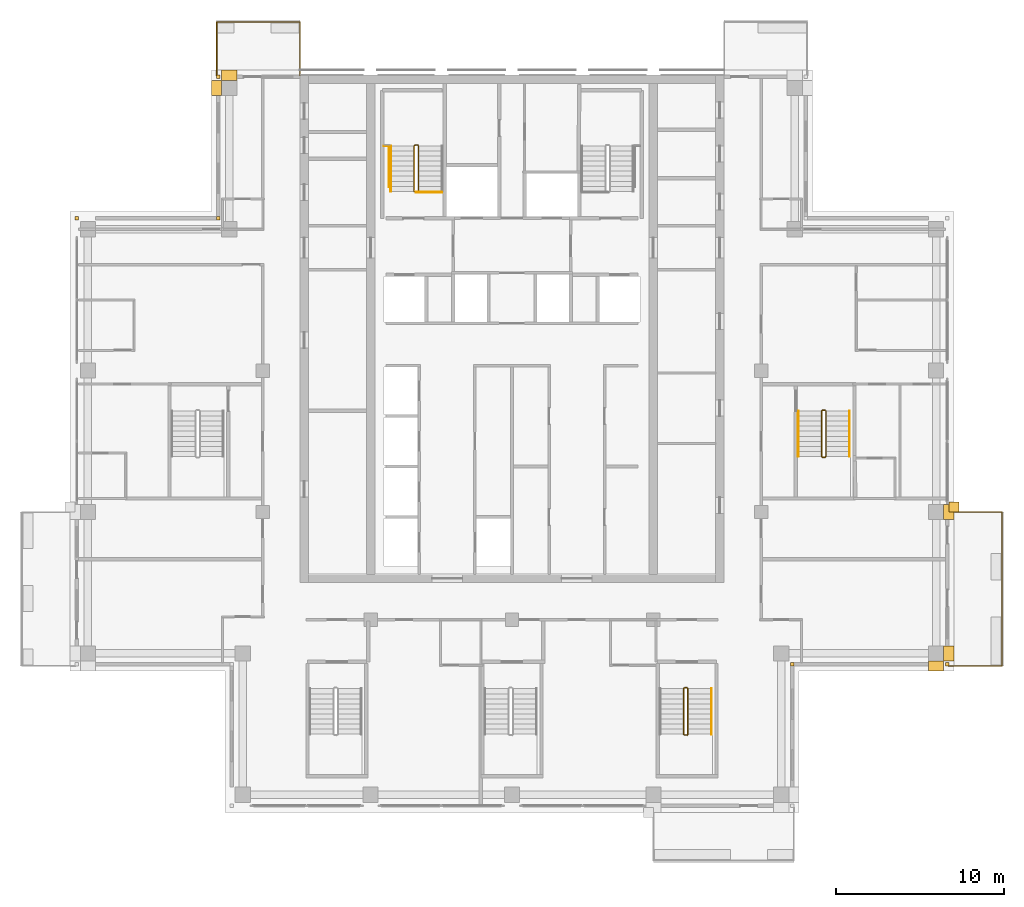
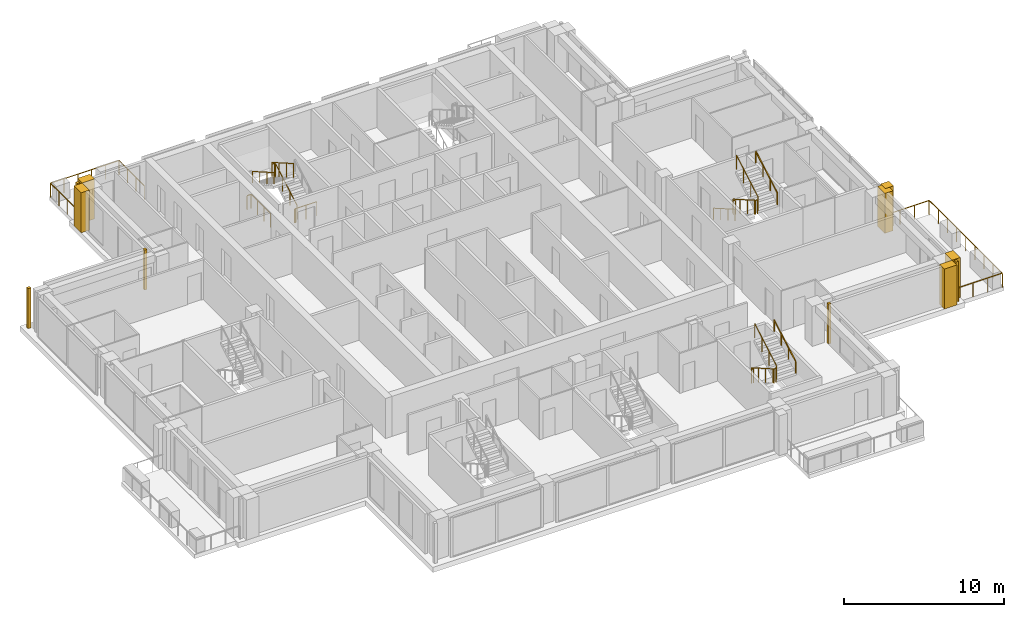
# One storey, part 18 of 19: 11 coverings, 11 railings.
"""IFC4 building model written with IfcOpenShell, lengths in metres."""

from ifc_helpers import new_model, si_unit, direction, frame, origin, origin_2d, place, context, subcontext, project, spatial, polyline, rectangle, outline, extrude, material, type_object, element, save


model = new_model("IFC4")

# Units and contexts
model_context = context("Model", 3, precision=1e-05, world=origin(), true_north=direction((0.0, 1.0)))
body_context = subcontext(model_context, "Body", "Model", "MODEL_VIEW")
ifc_project = project(units=[si_unit("LENGTHUNIT", "METRE"), si_unit("AREAUNIT", "SQUARE_METRE"), si_unit("VOLUMEUNIT", "CUBIC_METRE"), si_unit("PLANEANGLEUNIT", "RADIAN"), si_unit("MASSUNIT", "GRAM", prefix="KILO")], contexts=[model_context])

# Site, building, storey
site_placement = place(None, origin())
site = spatial("IfcSite", under=ifc_project, at=site_placement, CompositionType="ELEMENT")
building_placement = place(site_placement, origin())
building = spatial("IfcBuilding", under=site, at=building_placement, Name="Vermilion Ogive Tower", CompositionType="ELEMENT")
storey_placement = place(building_placement, frame((0.0, 0.0, 226.89990234375)))
storey = spatial("IfcBuildingStorey", under=building, at=storey_placement, Name="L59", CompositionType="ELEMENT", Elevation=226.89990234375)

# Railings
ifc_material_1 = material(Name="Stainless steel and glass", Category="steel")
railing_type_1 = type_object("IfcRailingType", Name="Balcony guard", PredefinedType="GUARDRAIL", material=ifc_material_1)
railing_1_placement = place(storey_placement, frame((25.949951171875, -13.35009765625, -0.039794921875)))
element("IfcRailing", 1, at=railing_1_placement, inside=storey, type_object=railing_type_1, Name="Guard E01", PredefinedType="GUARDRAIL", context=body_context, shape_type="SweptSolid", body=[
    extrude(rectangle(XDim=0.048095703125, YDim=0.048095703125, at=origin_2d()), frame((0.0, 0.0, 1.076171875), z_axis=(1.0, 0.0, 0.0), x_axis=(0.0, 1.0, 0.0)), (0.0, 0.0, 1.0), 3.16015625),
    extrude(rectangle(XDim=0.048095703125, YDim=0.048095703125, at=origin_2d()), frame((3.16015625, 0.0, 1.076171875), z_axis=(0.0, 1.0, 0.0), x_axis=(-1.0, 0.0, 0.0)), (0.0, 0.0, 1.0), 9.150146484375),
    extrude(rectangle(XDim=0.048095703125, YDim=0.048095703125, at=origin_2d()), frame((3.16015625, 9.150146484375, 1.076171875), z_axis=(-1.0, 0.0, 0.0), x_axis=(0.0, -1.0, 0.0)), (0.0, 0.0, 1.0), 3.16015625),
    extrude(rectangle(XDim=0.0419921875, YDim=0.0419921875, at=origin_2d()), origin(), (0.0, 0.0, 1.0), 1.052001953125),
    extrude(rectangle(XDim=0.0419921875, YDim=0.0419921875, at=origin_2d()), frame((1.053466796875, 0.0, 0.0)), (0.0, 0.0, 1.0), 1.052001953125),
    extrude(rectangle(XDim=0.0419921875, YDim=0.0419921875, at=origin_2d()), frame((2.106689453125, 0.0, 0.0)), (0.0, 0.0, 1.0), 1.052001953125),
    extrude(rectangle(XDim=0.0419921875, YDim=0.0419921875, at=origin_2d()), frame((3.16015625, 0.0, 0.0)), (0.0, 0.0, 1.0), 1.052001953125),
    extrude(rectangle(XDim=0.0419921875, YDim=0.0419921875, at=origin_2d()), frame((3.16015625, 1.143798828125, 0.0)), (0.0, 0.0, 1.0), 1.052001953125),
    extrude(rectangle(XDim=0.0419921875, YDim=0.0419921875, at=origin_2d()), frame((3.16015625, 2.28759765625, 0.0)), (0.0, 0.0, 1.0), 1.052001953125),
    extrude(rectangle(XDim=0.0419921875, YDim=0.0419921875, at=origin_2d()), frame((3.16015625, 3.431396484375, 0.0)), (0.0, 0.0, 1.0), 1.052001953125),
    extrude(rectangle(XDim=0.0419921875, YDim=0.0419921875, at=origin_2d()), frame((3.16015625, 4.5751953125, 0.0)), (0.0, 0.0, 1.0), 1.052001953125),
    extrude(rectangle(XDim=0.0419921875, YDim=0.0419921875, at=origin_2d()), frame((3.16015625, 5.71875, 0.0)), (0.0, 0.0, 1.0), 1.052001953125),
    extrude(rectangle(XDim=0.0419921875, YDim=0.0419921875, at=origin_2d()), frame((3.16015625, 6.862548828125, 0.0)), (0.0, 0.0, 1.0), 1.052001953125),
    extrude(rectangle(XDim=0.0419921875, YDim=0.0419921875, at=origin_2d()), frame((3.16015625, 8.00634765625, 0.0)), (0.0, 0.0, 1.0), 1.052001953125),
    extrude(rectangle(XDim=0.0419921875, YDim=0.0419921875, at=origin_2d()), frame((3.16015625, 9.150146484375, 0.0)), (0.0, 0.0, 1.0), 1.052001953125),
    extrude(rectangle(XDim=0.0419921875, YDim=0.0419921875, at=origin_2d()), frame((2.106689453125, 9.150146484375, 0.0)), (0.0, 0.0, 1.0), 1.052001953125),
    extrude(rectangle(XDim=0.0419921875, YDim=0.0419921875, at=origin_2d()), frame((1.053466796875, 9.150146484375, 0.0)), (0.0, 0.0, 1.0), 1.052001953125),
    extrude(rectangle(XDim=0.0419921875, YDim=0.0419921875, at=origin_2d()), frame((0.0, 9.150146484375, 0.0)), (0.0, 0.0, 1.0), 1.052001953125),
])
railing_2_placement = place(storey_placement, frame((-12.60009765625, 21.75, -0.039794921875)))
element("IfcRailing", 2, at=railing_2_placement, inside=storey, type_object=railing_type_1, Name="Guard N201", PredefinedType="GUARDRAIL", context=body_context, shape_type="SweptSolid", body=[
    extrude(rectangle(XDim=0.048095703125, YDim=0.048095703125, at=origin_2d()), frame((0.0, 0.0, 1.076171875), z_axis=(0.0, 1.0, 0.0), x_axis=(-1.0, 0.0, 0.0)), (0.0, 0.0, 1.0), 3.159912109375),
    extrude(rectangle(XDim=0.048095703125, YDim=0.048095703125, at=origin_2d()), frame((0.0, 3.159912109375, 1.076171875), z_axis=(-1.0, 0.0, 0.0), x_axis=(0.0, -1.0, 0.0)), (0.0, 0.0, 1.0), 4.949951171875),
    extrude(rectangle(XDim=0.048095703125, YDim=0.048095703125, at=origin_2d()), frame((-4.949951171875, 3.159912109375, 1.076171875), z_axis=(0.0, -1.0, 0.0), x_axis=(1.0, 0.0, 0.0)), (0.0, 0.0, 1.0), 3.159912109375),
    extrude(rectangle(XDim=0.0419921875, YDim=0.0419921875, at=origin_2d()), origin(), (0.0, 0.0, 1.0), 1.052001953125),
    extrude(rectangle(XDim=0.0419921875, YDim=0.0419921875, at=origin_2d()), frame((0.0, 1.05322265625, 0.0)), (0.0, 0.0, 1.0), 1.052001953125),
    extrude(rectangle(XDim=0.0419921875, YDim=0.0419921875, at=origin_2d()), frame((0.0, 2.106689453125, 0.0)), (0.0, 0.0, 1.0), 1.052001953125),
    extrude(rectangle(XDim=0.0419921875, YDim=0.0419921875, at=origin_2d()), frame((0.0, 3.159912109375, 0.0)), (0.0, 0.0, 1.0), 1.052001953125),
    extrude(rectangle(XDim=0.0419921875, YDim=0.0419921875, at=origin_2d()), frame((-0.989990234375, 3.159912109375, 0.0)), (0.0, 0.0, 1.0), 1.052001953125),
    extrude(rectangle(XDim=0.0419921875, YDim=0.0419921875, at=origin_2d()), frame((-1.97998046875, 3.159912109375, 0.0)), (0.0, 0.0, 1.0), 1.052001953125),
    extrude(rectangle(XDim=0.0419921875, YDim=0.0419921875, at=origin_2d()), frame((-2.969970703125, 3.159912109375, 0.0)), (0.0, 0.0, 1.0), 1.052001953125),
    extrude(rectangle(XDim=0.0419921875, YDim=0.0419921875, at=origin_2d()), frame((-3.9599609375, 3.159912109375, 0.0)), (0.0, 0.0, 1.0), 1.052001953125),
    extrude(rectangle(XDim=0.0419921875, YDim=0.0419921875, at=origin_2d()), frame((-4.949951171875, 3.159912109375, 0.0)), (0.0, 0.0, 1.0), 1.052001953125),
    extrude(rectangle(XDim=0.0419921875, YDim=0.0419921875, at=origin_2d()), frame((-4.949951171875, 2.106689453125, 0.0)), (0.0, 0.0, 1.0), 1.052001953125),
    extrude(rectangle(XDim=0.0419921875, YDim=0.0419921875, at=origin_2d()), frame((-4.949951171875, 1.05322265625, 0.0)), (0.0, 0.0, 1.0), 1.052001953125),
    extrude(rectangle(XDim=0.0419921875, YDim=0.0419921875, at=origin_2d()), frame((-4.949951171875, 0.0, 0.0)), (0.0, 0.0, 1.0), 1.052001953125),
])
ifc_material_2 = material(Name="Steel S355 painted", Category="steel")
railing_type_2 = type_object("IfcRailingType", Name="Stair guard 1100", PredefinedType="GUARDRAIL", material=ifc_material_2)
railing_3_placement = place(storey_placement, frame((-5.75, 14.800048828125, 0.0)))
element("IfcRailing", 3, at=railing_3_placement, inside=storey, type_object=railing_type_2, Name="L59 ST1 stair guard 4", PredefinedType="GUARDRAIL", context=body_context, shape_type="SweptSolid", body=[
    extrude(rectangle(XDim=0.048095703125, YDim=0.048095703125, at=origin_2d()), frame((0.0, 0.0, 1.076171875), z_axis=(1.0, 0.0, 0.0), x_axis=(0.0, 1.0, 0.0)), (0.0, 0.0, 1.0), 0.14990234375),
    extrude(rectangle(XDim=0.048095703125, YDim=0.048095703125, at=origin_2d()), frame((0.14990234375, 0.0, 1.076171875), z_axis=(0.268277960024, 0.268277960024, 0.925231793839), x_axis=(-0.707106781187, 0.707106781187, 0.0)), (0.0, 0.0, 1.0), 0.1865234375),
    extrude(rectangle(XDim=0.048095703125, YDim=0.048095703125, at=origin_2d()), frame((0.199951171875, 0.050048828125, 1.24853515625), z_axis=(0.0, 0.866903762492, 0.498475542607), x_axis=(-1.0, 0.0, 0.0)), (0.0, 0.0, 1.0), 3.114501953125),
    extrude(rectangle(XDim=0.048095703125, YDim=0.048095703125, at=origin_2d()), frame((0.199951171875, 2.75, 2.80126953125), z_axis=(-0.707106781187, 0.707106781187, 0.0), x_axis=(-0.707106781187, -0.707106781187, 0.0)), (0.0, 0.0, 1.0), 0.07080078125),
    extrude(rectangle(XDim=0.048095703125, YDim=0.048095703125, at=origin_2d()), frame((0.14990234375, 2.800048828125, 2.80126953125), z_axis=(-1.0, 0.0, 0.0), x_axis=(0.0, -1.0, 0.0)), (0.0, 0.0, 1.0), 0.14990234375),
    extrude(rectangle(XDim=0.048095703125, YDim=0.048095703125, at=origin_2d()), frame((0.0, 2.800048828125, 2.80126953125), z_axis=(-0.268277960024, -0.268277960024, 0.925231793839), x_axis=(0.707106781187, -0.707106781187, 0.0)), (0.0, 0.0, 1.0), 0.1865234375),
    extrude(rectangle(XDim=0.048095703125, YDim=0.048095703125, at=origin_2d()), frame((-0.050048828125, 2.75, 2.9736328125), z_axis=(0.0, -0.866903762492, 0.498475542607), x_axis=(1.0, 0.0, 0.0)), (0.0, 0.0, 1.0), 3.114501953125),
    extrude(rectangle(XDim=0.0419921875, YDim=0.0419921875, at=origin_2d()), origin(), (0.0, 0.0, 1.0), 1.052001953125),
    extrude(rectangle(XDim=0.0419921875, YDim=0.0419921875, at=origin_2d()), frame((0.14990234375, 0.0, 0.0)), (0.0, 0.0, 1.0), 1.052001953125),
    extrude(rectangle(XDim=0.0419921875, YDim=0.0419921875, at=origin_2d()), frame((0.199951171875, 0.050048828125, 0.172607421875)), (0.0, 0.0, 1.0), 1.052001953125),
    extrude(rectangle(XDim=0.0419921875, YDim=0.0419921875, at=origin_2d()), frame((0.199951171875, 0.949951171875, 0.690185546875)), (0.0, 0.0, 1.0), 1.052001953125),
    extrude(rectangle(XDim=0.0419921875, YDim=0.0419921875, at=origin_2d()), frame((0.199951171875, 1.85009765625, 1.20751953125)), (0.0, 0.0, 1.0), 1.052001953125),
    extrude(rectangle(XDim=0.0419921875, YDim=0.0419921875, at=origin_2d()), frame((0.199951171875, 2.75, 1.72509765625)), (0.0, 0.0, 1.0), 1.052001953125),
    extrude(rectangle(XDim=0.0419921875, YDim=0.0419921875, at=origin_2d()), frame((0.14990234375, 2.800048828125, 1.72509765625)), (0.0, 0.0, 1.0), 1.052001953125),
    extrude(rectangle(XDim=0.0419921875, YDim=0.0419921875, at=origin_2d()), frame((0.0, 2.800048828125, 1.72509765625)), (0.0, 0.0, 1.0), 1.052001953125),
    extrude(rectangle(XDim=0.0419921875, YDim=0.0419921875, at=origin_2d()), frame((-0.050048828125, 2.75, 1.897705078125)), (0.0, 0.0, 1.0), 1.052001953125),
    extrude(rectangle(XDim=0.0419921875, YDim=0.0419921875, at=origin_2d()), frame((-0.050048828125, 1.85009765625, 2.415283203125)), (0.0, 0.0, 1.0), 1.052001953125),
    extrude(rectangle(XDim=0.0419921875, YDim=0.0419921875, at=origin_2d()), frame((-0.050048828125, 0.949951171875, 2.9326171875)), (0.0, 0.0, 1.0), 1.052001953125),
    extrude(rectangle(XDim=0.0419921875, YDim=0.0419921875, at=origin_2d()), frame((-0.050048828125, 0.050048828125, 3.4501953125)), (0.0, 0.0, 1.0), 1.052001953125),
])
railing_4_placement = place(storey_placement, frame((10.39990234375, -14.64990234375, 0.0)))
element("IfcRailing", 4, at=railing_4_placement, inside=storey, type_object=railing_type_2, Name="L59 ST5 stair guard 4", PredefinedType="GUARDRAIL", context=body_context, shape_type="SweptSolid", body=[
    extrude(rectangle(XDim=0.048095703125, YDim=0.048095703125, at=origin_2d()), frame((0.0, 0.0, 1.076171875), z_axis=(-1.0, 0.0, 0.0), x_axis=(0.0, -1.0, 0.0)), (0.0, 0.0, 1.0), 0.14990234375),
    extrude(rectangle(XDim=0.048095703125, YDim=0.048095703125, at=origin_2d()), frame((-0.14990234375, 0.0, 1.076171875), z_axis=(-0.268277960024, -0.268277960024, 0.925231793839), x_axis=(0.707106781187, -0.707106781187, 0.0)), (0.0, 0.0, 1.0), 0.1865234375),
    extrude(rectangle(XDim=0.048095703125, YDim=0.048095703125, at=origin_2d()), frame((-0.199951171875, -0.050048828125, 1.24853515625), z_axis=(0.0, -0.866903762492, 0.498475542607), x_axis=(1.0, 0.0, 0.0)), (0.0, 0.0, 1.0), 3.114501953125),
    extrude(rectangle(XDim=0.048095703125, YDim=0.048095703125, at=origin_2d()), frame((-0.199951171875, -2.75, 2.80126953125), z_axis=(0.707106781187, -0.707106781187, 0.0), x_axis=(0.707106781187, 0.707106781187, 0.0)), (0.0, 0.0, 1.0), 0.07080078125),
    extrude(rectangle(XDim=0.048095703125, YDim=0.048095703125, at=origin_2d()), frame((-0.14990234375, -2.800048828125, 2.80126953125), z_axis=(1.0, 0.0, 0.0), x_axis=(0.0, 1.0, 0.0)), (0.0, 0.0, 1.0), 0.14990234375),
    extrude(rectangle(XDim=0.048095703125, YDim=0.048095703125, at=origin_2d()), frame((0.0, -2.800048828125, 2.80126953125), z_axis=(0.268277960024, 0.268277960024, 0.925231793839), x_axis=(-0.707106781187, 0.707106781187, 0.0)), (0.0, 0.0, 1.0), 0.1865234375),
    extrude(rectangle(XDim=0.048095703125, YDim=0.048095703125, at=origin_2d()), frame((0.050048828125, -2.75, 2.9736328125), z_axis=(0.0, 0.866903762492, 0.498475542607), x_axis=(-1.0, 0.0, 0.0)), (0.0, 0.0, 1.0), 3.114501953125),
    extrude(rectangle(XDim=0.0419921875, YDim=0.0419921875, at=origin_2d()), origin(), (0.0, 0.0, 1.0), 1.052001953125),
    extrude(rectangle(XDim=0.0419921875, YDim=0.0419921875, at=origin_2d()), frame((-0.14990234375, 0.0, 0.0)), (0.0, 0.0, 1.0), 1.052001953125),
    extrude(rectangle(XDim=0.0419921875, YDim=0.0419921875, at=origin_2d()), frame((-0.199951171875, -0.050048828125, 0.172607421875)), (0.0, 0.0, 1.0), 1.052001953125),
    extrude(rectangle(XDim=0.0419921875, YDim=0.0419921875, at=origin_2d()), frame((-0.199951171875, -0.949951171875, 0.690185546875)), (0.0, 0.0, 1.0), 1.052001953125),
    extrude(rectangle(XDim=0.0419921875, YDim=0.0419921875, at=origin_2d()), frame((-0.199951171875, -1.85009765625, 1.20751953125)), (0.0, 0.0, 1.0), 1.052001953125),
    extrude(rectangle(XDim=0.0419921875, YDim=0.0419921875, at=origin_2d()), frame((-0.199951171875, -2.75, 1.72509765625)), (0.0, 0.0, 1.0), 1.052001953125),
    extrude(rectangle(XDim=0.0419921875, YDim=0.0419921875, at=origin_2d()), frame((-0.14990234375, -2.800048828125, 1.72509765625)), (0.0, 0.0, 1.0), 1.052001953125),
    extrude(rectangle(XDim=0.0419921875, YDim=0.0419921875, at=origin_2d()), frame((0.0, -2.800048828125, 1.72509765625)), (0.0, 0.0, 1.0), 1.052001953125),
    extrude(rectangle(XDim=0.0419921875, YDim=0.0419921875, at=origin_2d()), frame((0.050048828125, -2.75, 1.897705078125)), (0.0, 0.0, 1.0), 1.052001953125),
    extrude(rectangle(XDim=0.0419921875, YDim=0.0419921875, at=origin_2d()), frame((0.050048828125, -1.85009765625, 2.415283203125)), (0.0, 0.0, 1.0), 1.052001953125),
    extrude(rectangle(XDim=0.0419921875, YDim=0.0419921875, at=origin_2d()), frame((0.050048828125, -0.949951171875, 2.9326171875)), (0.0, 0.0, 1.0), 1.052001953125),
    extrude(rectangle(XDim=0.0419921875, YDim=0.0419921875, at=origin_2d()), frame((0.050048828125, -0.050048828125, 3.4501953125)), (0.0, 0.0, 1.0), 1.052001953125),
])
railing_5_placement = place(storey_placement, frame((18.60009765625, 1.85009765625, 0.0)))
element("IfcRailing", 5, at=railing_5_placement, inside=storey, type_object=railing_type_2, Name="L59 ST8 stair guard 4", PredefinedType="GUARDRAIL", context=body_context, shape_type="SweptSolid", body=[
    extrude(rectangle(XDim=0.048095703125, YDim=0.048095703125, at=origin_2d()), frame((0.0, 0.0, 1.076171875), z_axis=(-1.0, 0.0, 0.0), x_axis=(0.0, -1.0, 0.0)), (0.0, 0.0, 1.0), 0.150146484375),
    extrude(rectangle(XDim=0.048095703125, YDim=0.048095703125, at=origin_2d()), frame((-0.150146484375, 0.0, 1.076171875), z_axis=(-0.268277960024, -0.268277960024, 0.925231793839), x_axis=(0.707106781187, -0.707106781187, 0.0)), (0.0, 0.0, 1.0), 0.1865234375),
    extrude(rectangle(XDim=0.048095703125, YDim=0.048095703125, at=origin_2d()), frame((-0.2001953125, -0.050048828125, 1.24853515625), z_axis=(0.0, -0.866903762492, 0.498475542607), x_axis=(1.0, 0.0, 0.0)), (0.0, 0.0, 1.0), 3.114501953125),
    extrude(rectangle(XDim=0.048095703125, YDim=0.048095703125, at=origin_2d()), frame((-0.2001953125, -2.75, 2.80126953125), z_axis=(0.707106781187, -0.707106781187, 0.0), x_axis=(0.707106781187, 0.707106781187, 0.0)), (0.0, 0.0, 1.0), 0.07080078125),
    extrude(rectangle(XDim=0.048095703125, YDim=0.048095703125, at=origin_2d()), frame((-0.150146484375, -2.800048828125, 2.80126953125), z_axis=(1.0, 0.0, 0.0), x_axis=(0.0, 1.0, 0.0)), (0.0, 0.0, 1.0), 0.150146484375),
    extrude(rectangle(XDim=0.048095703125, YDim=0.048095703125, at=origin_2d()), frame((0.0, -2.800048828125, 2.80126953125), z_axis=(0.267062837333, 0.268371968888, 0.925556009775), x_axis=(-0.708833529934, 0.705375805398, 0.0)), (0.0, 0.0, 1.0), 0.1865234375),
    extrude(rectangle(XDim=0.048095703125, YDim=0.048095703125, at=origin_2d()), frame((0.0498046875, -2.75, 2.9736328125), z_axis=(0.0, 0.866903762492, 0.498475542607), x_axis=(-1.0, 0.0, 0.0)), (0.0, 0.0, 1.0), 3.114501953125),
    extrude(rectangle(XDim=0.0419921875, YDim=0.0419921875, at=origin_2d()), origin(), (0.0, 0.0, 1.0), 1.052001953125),
    extrude(rectangle(XDim=0.0419921875, YDim=0.0419921875, at=origin_2d()), frame((-0.150146484375, 0.0, 0.0)), (0.0, 0.0, 1.0), 1.052001953125),
    extrude(rectangle(XDim=0.0419921875, YDim=0.0419921875, at=origin_2d()), frame((-0.2001953125, -0.050048828125, 0.172607421875)), (0.0, 0.0, 1.0), 1.052001953125),
    extrude(rectangle(XDim=0.0419921875, YDim=0.0419921875, at=origin_2d()), frame((-0.2001953125, -0.949951171875, 0.690185546875)), (0.0, 0.0, 1.0), 1.052001953125),
    extrude(rectangle(XDim=0.0419921875, YDim=0.0419921875, at=origin_2d()), frame((-0.2001953125, -1.85009765625, 1.20751953125)), (0.0, 0.0, 1.0), 1.052001953125),
    extrude(rectangle(XDim=0.0419921875, YDim=0.0419921875, at=origin_2d()), frame((-0.2001953125, -2.75, 1.72509765625)), (0.0, 0.0, 1.0), 1.052001953125),
    extrude(rectangle(XDim=0.0419921875, YDim=0.0419921875, at=origin_2d()), frame((-0.150146484375, -2.800048828125, 1.72509765625)), (0.0, 0.0, 1.0), 1.052001953125),
    extrude(rectangle(XDim=0.0419921875, YDim=0.0419921875, at=origin_2d()), frame((0.0, -2.800048828125, 1.72509765625)), (0.0, 0.0, 1.0), 1.052001953125),
    extrude(rectangle(XDim=0.0419921875, YDim=0.0419921875, at=origin_2d()), frame((0.0498046875, -2.75, 1.897705078125)), (0.0, 0.0, 1.0), 1.052001953125),
    extrude(rectangle(XDim=0.0419921875, YDim=0.0419921875, at=origin_2d()), frame((0.0498046875, -1.85009765625, 2.415283203125)), (0.0, 0.0, 1.0), 1.052001953125),
    extrude(rectangle(XDim=0.0419921875, YDim=0.0419921875, at=origin_2d()), frame((0.0498046875, -0.949951171875, 2.9326171875)), (0.0, 0.0, 1.0), 1.052001953125),
    extrude(rectangle(XDim=0.0419921875, YDim=0.0419921875, at=origin_2d()), frame((0.0498046875, -0.050048828125, 3.4501953125)), (0.0, 0.0, 1.0), 1.052001953125),
])
railing_6_placement = place(storey_placement, frame((-4.159912109375, 14.7900390625, 0.0)))
element("IfcRailing", 6, at=railing_6_placement, inside=storey, type_object=railing_type_2, Name="L59 stair opening guard", PredefinedType="GUARDRAIL", context=body_context, shape_type="SweptSolid", body=[
    extrude(rectangle(XDim=0.048095703125, YDim=0.048095703125, at=origin_2d()), frame((0.0, 0.0, 1.076171875), z_axis=(-1.0, 0.0, 0.0), x_axis=(0.0, -1.0, 0.0)), (0.0, 0.0, 1.0), 1.5400390625),
    extrude(rectangle(XDim=0.0419921875, YDim=0.0419921875, at=origin_2d()), origin(), (0.0, 0.0, 1.0), 1.052001953125),
    extrude(rectangle(XDim=0.0419921875, YDim=0.0419921875, at=origin_2d()), frame((-0.77001953125, 0.0, 0.0)), (0.0, 0.0, 1.0), 1.052001953125),
    extrude(rectangle(XDim=0.0419921875, YDim=0.0419921875, at=origin_2d()), frame((-1.5400390625, 0.0, 0.0)), (0.0, 0.0, 1.0), 1.052001953125),
])
railing_7_placement = place(storey_placement, frame((-7.3095703125, 15.11865234375, 0.0)))
element("IfcRailing", 7, at=railing_7_placement, inside=storey, type_object=railing_type_2, Name="L59 stair opening guard", PredefinedType="GUARDRAIL", context=body_context, shape_type="SweptSolid", body=[
    extrude(rectangle(XDim=0.048095703125, YDim=0.048095703125, at=origin_2d()), frame((0.0, 0.0, 1.076171875), z_axis=(0.0, 1.0, 0.0), x_axis=(-1.0, 0.0, 0.0)), (0.0, 0.0, 1.0), 2.42431640625),
    extrude(rectangle(XDim=0.048095703125, YDim=0.048095703125, at=origin_2d()), frame((0.0, 2.42431640625, 1.076171875), z_axis=(-1.0, 0.0, 0.0), x_axis=(0.0, -1.0, 0.0)), (0.0, 0.0, 1.0), 0.2900390625),
    extrude(rectangle(XDim=0.0419921875, YDim=0.0419921875, at=origin_2d()), origin(), (0.0, 0.0, 1.0), 1.052001953125),
    extrude(rectangle(XDim=0.0419921875, YDim=0.0419921875, at=origin_2d()), frame((0.0, 0.80810546875, 0.0)), (0.0, 0.0, 1.0), 1.052001953125),
    extrude(rectangle(XDim=0.0419921875, YDim=0.0419921875, at=origin_2d()), frame((0.0, 1.6162109375, 0.0)), (0.0, 0.0, 1.0), 1.052001953125),
    extrude(rectangle(XDim=0.0419921875, YDim=0.0419921875, at=origin_2d()), frame((0.0, 2.42431640625, 0.0)), (0.0, 0.0, 1.0), 1.052001953125),
    extrude(rectangle(XDim=0.0419921875, YDim=0.0419921875, at=origin_2d()), frame((-0.2900390625, 2.42431640625, 0.0)), (0.0, 0.0, 1.0), 1.052001953125),
])
ifc_material_3 = material(Name="Stainless steel", Category="steel")
railing_type_3 = type_object("IfcRailingType", Name="Stair handrail 900", PredefinedType="HANDRAIL", material=ifc_material_3)
railing_8_placement = place(storey_placement, frame((-7.199951171875, 17.550048828125, 1.897705078125)))
element("IfcRailing", 8, at=railing_8_placement, inside=storey, type_object=railing_type_3, Name="L59 ST1 stair handrail 2", PredefinedType="HANDRAIL", context=body_context, shape_type="SweptSolid", body=[
    extrude(rectangle(XDim=0.048095703125, YDim=0.048095703125, at=origin_2d()), frame((0.0, 0.0, 0.8759765625), z_axis=(0.0, -0.866903762492, 0.498475542607), x_axis=(1.0, 0.0, 0.0)), (0.0, 0.0, 1.0), 3.114501953125),
    extrude(rectangle(XDim=0.0419921875, YDim=0.0419921875, at=origin_2d()), origin(), (0.0, 0.0, 1.0), 0.851806640625),
    extrude(rectangle(XDim=0.0419921875, YDim=0.0419921875, at=origin_2d()), frame((0.0, -0.89990234375, 0.517578125)), (0.0, 0.0, 1.0), 0.851806640625),
    extrude(rectangle(XDim=0.0419921875, YDim=0.0419921875, at=origin_2d()), frame((0.0, -1.800048828125, 1.034912109375)), (0.0, 0.0, 1.0), 0.851806640625),
    extrude(rectangle(XDim=0.0419921875, YDim=0.0419921875, at=origin_2d()), frame((0.0, -2.699951171875, 1.552490234375)), (0.0, 0.0, 1.0), 0.851806640625),
])
railing_9_placement = place(storey_placement, frame((11.85009765625, -17.39990234375, 1.897705078125)))
element("IfcRailing", 9, at=railing_9_placement, inside=storey, type_object=railing_type_3, Name="L59 ST5 stair handrail 2", PredefinedType="HANDRAIL", context=body_context, shape_type="SweptSolid", body=[
    extrude(rectangle(XDim=0.048095703125, YDim=0.048095703125, at=origin_2d()), frame((0.0, 0.0, 0.8759765625), z_axis=(0.0, 0.866903762492, 0.498475542607), x_axis=(-1.0, 0.0, 0.0)), (0.0, 0.0, 1.0), 3.114501953125),
    extrude(rectangle(XDim=0.0419921875, YDim=0.0419921875, at=origin_2d()), origin(), (0.0, 0.0, 1.0), 0.851806640625),
    extrude(rectangle(XDim=0.0419921875, YDim=0.0419921875, at=origin_2d()), frame((0.0, 0.89990234375, 0.517578125)), (0.0, 0.0, 1.0), 0.851806640625),
    extrude(rectangle(XDim=0.0419921875, YDim=0.0419921875, at=origin_2d()), frame((0.0, 1.800048828125, 1.034912109375)), (0.0, 0.0, 1.0), 0.851806640625),
    extrude(rectangle(XDim=0.0419921875, YDim=0.0419921875, at=origin_2d()), frame((0.0, 2.699951171875, 1.552490234375)), (0.0, 0.0, 1.0), 0.851806640625),
])
railing_10_placement = place(storey_placement, frame((17.0, 1.800048828125, 0.172607421875)))
element("IfcRailing", 10, at=railing_10_placement, inside=storey, type_object=railing_type_3, Name="L59 ST8 stair handrail 1", PredefinedType="HANDRAIL", context=body_context, shape_type="SweptSolid", body=[
    extrude(rectangle(XDim=0.048095703125, YDim=0.048095703125, at=origin_2d()), frame((0.0, 0.0, 0.8759765625), z_axis=(0.0, -0.866903762492, 0.498475542607), x_axis=(1.0, 0.0, 0.0)), (0.0, 0.0, 1.0), 3.114501953125),
    extrude(rectangle(XDim=0.0419921875, YDim=0.0419921875, at=origin_2d()), origin(), (0.0, 0.0, 1.0), 0.851806640625),
    extrude(rectangle(XDim=0.0419921875, YDim=0.0419921875, at=origin_2d()), frame((0.0, -0.89990234375, 0.517578125)), (0.0, 0.0, 1.0), 0.851806640625),
    extrude(rectangle(XDim=0.0419921875, YDim=0.0419921875, at=origin_2d()), frame((0.0, -1.800048828125, 1.034912109375)), (0.0, 0.0, 1.0), 0.851806640625),
    extrude(rectangle(XDim=0.0419921875, YDim=0.0419921875, at=origin_2d()), frame((0.0, -2.699951171875, 1.552490234375)), (0.0, 0.0, 1.0), 0.851806640625),
])
railing_11_placement = place(storey_placement, frame((20.050048828125, -0.89990234375, 1.897705078125)))
element("IfcRailing", 11, at=railing_11_placement, inside=storey, type_object=railing_type_3, Name="L59 ST8 stair handrail 2", PredefinedType="HANDRAIL", context=body_context, shape_type="SweptSolid", body=[
    extrude(rectangle(XDim=0.048095703125, YDim=0.048095703125, at=origin_2d()), frame((0.0, 0.0, 0.8759765625), z_axis=(0.0, 0.866903762492, 0.498475542607), x_axis=(-1.0, 0.0, 0.0)), (0.0, 0.0, 1.0), 3.114501953125),
    extrude(rectangle(XDim=0.0419921875, YDim=0.0419921875, at=origin_2d()), origin(), (0.0, 0.0, 1.0), 0.851806640625),
    extrude(rectangle(XDim=0.0419921875, YDim=0.0419921875, at=origin_2d()), frame((0.0, 0.89990234375, 0.517578125)), (0.0, 0.0, 1.0), 0.851806640625),
    extrude(rectangle(XDim=0.0419921875, YDim=0.0419921875, at=origin_2d()), frame((0.0, 1.800048828125, 1.034912109375)), (0.0, 0.0, 1.0), 0.851806640625),
    extrude(rectangle(XDim=0.0419921875, YDim=0.0419921875, at=origin_2d()), frame((0.0, 2.699951171875, 1.552490234375)), (0.0, 0.0, 1.0), 0.851806640625),
])

# Coverings
ifc_material_4 = material(Name="Stone cladding", Category="masonry")
covering_type_1 = type_object("IfcCoveringType", Name="Stone corner buttress", PredefinedType="CLADDING", material=ifc_material_4)
covering_1_placement = place(storey_placement, origin())
element("IfcCovering", 12, at=covering_1_placement, inside=storey, type_object=covering_type_1, Name="Stone crease pier EK", PredefinedType="CLADDING", context=body_context, shape_type="SweptSolid", body=[
    extrude(outline(polyline([(26.550048828125, -4.199951171875), (26.550048828125, -3.60009765625), (25.949951171875, -3.60009765625), (25.949951171875, -4.199951171875), (26.550048828125, -4.199951171875)])), origin(), (0.0, 0.0, 1.0), 3.050048828125),
])
ifc_material_5 = material(Name="Stone cladding", Category="masonry")
covering_type_2 = type_object("IfcCoveringType", Name="Stone pier", PredefinedType="CLADDING", material=ifc_material_5)
covering_2_placement = place(storey_placement, origin())
element("IfcCovering", 13, at=covering_2_placement, inside=storey, type_object=covering_type_2, Name="Stone corner pier X1E1", PredefinedType="CLADDING", context=body_context, shape_type="SweptSolid", body=[
    extrude(outline(polyline([(16.550048828125, -13.14990234375), (16.75, -13.14990234375), (16.75, -13.35009765625), (16.550048828125, -13.35009765625), (16.550048828125, -13.14990234375)])), origin(), (0.0, 0.0, 1.0), 3.050048828125),
])
covering_3_placement = place(storey_placement, origin())
element("IfcCovering", 14, at=covering_3_placement, inside=storey, type_object=covering_type_2, Name="Stone corner pier X2E1", PredefinedType="CLADDING", context=body_context, shape_type="SweptSolid", body=[
    extrude(outline(polyline([(25.75, -13.14990234375), (25.949951171875, -13.14990234375), (25.949951171875, -13.35009765625), (25.75, -13.35009765625), (25.75, -13.14990234375)])), origin(), (0.0, 0.0, 1.0), 3.050048828125),
])
covering_4_placement = place(storey_placement, origin())
element("IfcCovering", 15, at=covering_4_placement, inside=storey, type_object=covering_type_2, Name="Stone corner pier N2E1", PredefinedType="CLADDING", context=body_context, shape_type="SweptSolid", body=[
    extrude(outline(polyline([(-17.35009765625, 21.550048828125), (-17.550048828125, 21.550048828125), (-17.550048828125, 21.75), (-17.35009765625, 21.75), (-17.35009765625, 21.550048828125)])), origin(), (0.0, 0.0, 1.0), 3.050048828125),
])
covering_5_placement = place(storey_placement, origin())
element("IfcCovering", 16, at=covering_5_placement, inside=storey, type_object=covering_type_2, Name="Stone corner pier X5E1", PredefinedType="CLADDING", context=body_context, shape_type="SweptSolid", body=[
    extrude(outline(polyline([(-17.35009765625, 13.14990234375), (-17.550048828125, 13.14990234375), (-17.550048828125, 13.35009765625), (-17.35009765625, 13.35009765625), (-17.35009765625, 13.14990234375)])), origin(), (0.0, 0.0, 1.0), 3.050048828125),
])
covering_6_placement = place(storey_placement, origin())
element("IfcCovering", 17, at=covering_6_placement, inside=storey, type_object=covering_type_2, Name="Stone corner pier X6E1", PredefinedType="CLADDING", context=body_context, shape_type="SweptSolid", body=[
    extrude(outline(polyline([(-25.75, 13.14990234375), (-25.949951171875, 13.14990234375), (-25.949951171875, 13.35009765625), (-25.75, 13.35009765625), (-25.75, 13.14990234375)])), origin(), (0.0, 0.0, 1.0), 3.050048828125),
])
covering_7_placement = place(storey_placement, origin())
element("IfcCovering", 18, at=covering_7_placement, inside=storey, type_object=covering_type_2, Name="Stone pier P+0252-042", PredefinedType="CLADDING", context=body_context, shape_type="SweptSolid", body=[
    extrude(outline(polyline([(25.949951171875, -3.75), (25.949951171875, -4.199951171875), (26.25, -4.199951171875), (26.25, -4.64990234375), (25.64990234375, -4.64990234375), (25.64990234375, -3.75), (25.949951171875, -3.75)])), origin(), (0.0, 0.0, 1.0), 3.050048828125),
])
covering_8_placement = place(storey_placement, origin())
element("IfcCovering", 19, at=covering_8_placement, inside=storey, type_object=covering_type_2, Name="Stone pier P+0252-126X2", PredefinedType="CLADDING", context=body_context, shape_type="SweptSolid", body=[
    extrude(outline(polyline([(25.64990234375, -13.64990234375), (24.75, -13.64990234375), (24.75, -13.050048828125), (25.64990234375, -13.050048828125), (25.64990234375, -13.64990234375)])), origin(), (0.0, 0.0, 1.0), 3.050048828125),
])
covering_9_placement = place(storey_placement, origin())
element("IfcCovering", 20, at=covering_9_placement, inside=storey, type_object=covering_type_2, Name="Stone pier P+0252-126E", PredefinedType="CLADDING", context=body_context, shape_type="SweptSolid", body=[
    extrude(outline(polyline([(26.25, -13.050048828125), (25.64990234375, -13.050048828125), (25.64990234375, -12.14990234375), (26.25, -12.14990234375), (26.25, -13.050048828125)])), origin(), (0.0, 0.0, 1.0), 3.050048828125),
])
covering_10_placement = place(storey_placement, origin())
element("IfcCovering", 21, at=covering_10_placement, inside=storey, type_object=covering_type_2, Name="Stone pier P-0168+210N2", PredefinedType="CLADDING", context=body_context, shape_type="SweptSolid", body=[
    extrude(outline(polyline([(-17.25, 21.449951171875), (-17.25, 22.050048828125), (-16.35009765625, 22.050048828125), (-16.35009765625, 21.449951171875), (-17.25, 21.449951171875), (-17.25, 21.449951171875)])), origin(), (0.0, 0.0, 1.0), 3.050048828125),
])
covering_11_placement = place(storey_placement, origin())
element("IfcCovering", 22, at=covering_11_placement, inside=storey, type_object=covering_type_2, Name="Stone pier P-0168+210X5", PredefinedType="CLADDING", context=body_context, shape_type="SweptSolid", body=[
    extrude(outline(polyline([(-17.85009765625, 21.449951171875), (-17.25, 21.449951171875), (-17.25, 21.449951171875), (-17.25, 20.550048828125), (-17.85009765625, 20.550048828125), (-17.85009765625, 21.449951171875)])), origin(), (0.0, 0.0, 1.0), 3.050048828125),
])

save(model, "model.ifc")
